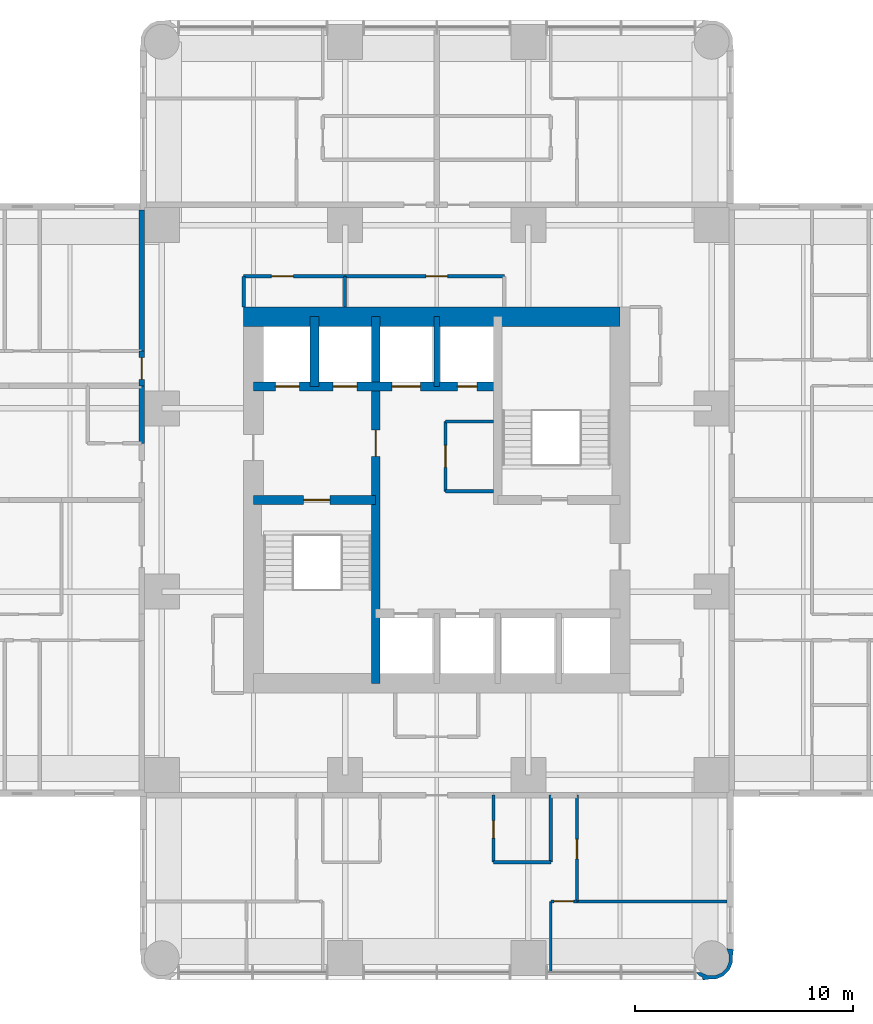
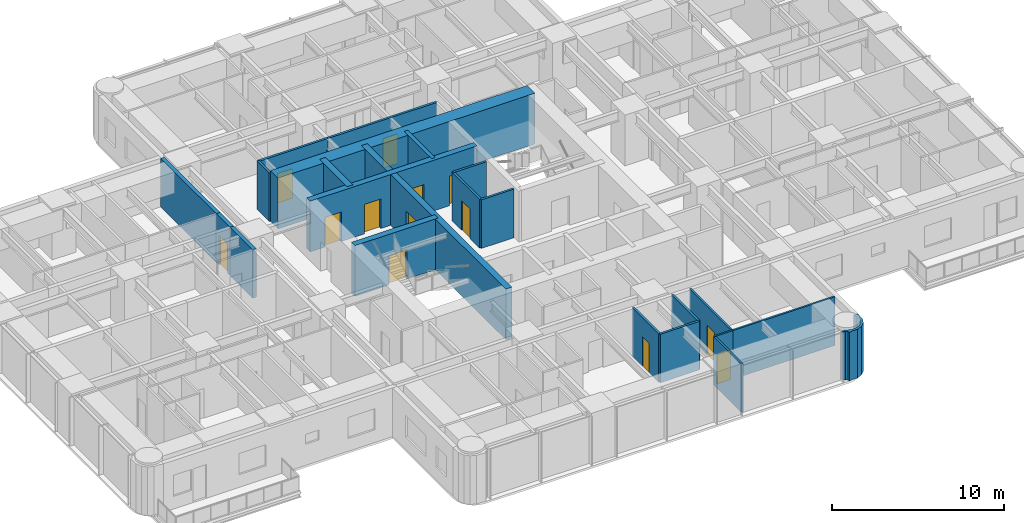
# One storey, part 8 of 15: 24 walls, 13 doors, 13 openings.
"""IFC4 building model written with IfcOpenShell, lengths in metres."""

from ifc_helpers import new_model, si_unit, direction, frame, frame_2d, origin, place, context, subcontext, project, spatial, polyline, rectangle, outline, extrude, material, layer, layer_set, type_object, element, fill, save


model = new_model("IFC4")

# Units and contexts
model_context = context("Model", 3, precision=1e-05, world=origin(), true_north=direction((0.0, 1.0)))
body_context = subcontext(model_context, "Body", "Model", "MODEL_VIEW")
ifc_project = project(units=[si_unit("LENGTHUNIT", "METRE"), si_unit("AREAUNIT", "SQUARE_METRE"), si_unit("VOLUMEUNIT", "CUBIC_METRE"), si_unit("PLANEANGLEUNIT", "RADIAN"), si_unit("MASSUNIT", "GRAM", prefix="KILO")], contexts=[model_context])

# Site, building, storey
site_placement = place(None, origin())
site = spatial("IfcSite", under=ifc_project, at=site_placement, CompositionType="ELEMENT")
building_placement = place(site_placement, origin())
building = spatial("IfcBuilding", under=site, at=building_placement, Name="Torre Alcanfor", CompositionType="ELEMENT")
storey_placement = place(building_placement, frame((0.0, 0.0, 116.10009765625)))
storey = spatial("IfcBuildingStorey", under=building, at=storey_placement, Name="L29", CompositionType="ELEMENT", Elevation=116.10009765625)

# Wall
ifc_material_1 = material(Name="Concrete block masonry, hollow blocks NMX-C-404 9 MPa", Category="masonry")
ifc_layer_1 = layer(ifc_material_1, 0.25)
ifc_layer_set_1 = layer_set([ifc_layer_1], Name="Apartment entrance wall 250 EI 60")
wall_type_1 = type_object("IfcWallType", Name="Apartment entrance wall 250 EI 60", PredefinedType="PARTITIONING", material=ifc_layer_set_1)
wall_1_placement = place(storey_placement, frame((15.875, 32.0, 0.0), z_axis=(0.0, 0.0, 1.0), x_axis=(0.0, 1.0, 0.0)))
element("IfcWall", 1, at=wall_1_placement, inside=storey, type_object=wall_type_1, Name="Partition L29-CORR / L29-W2A-BATH", PredefinedType="PARTITIONING", context=body_context, shape_type="SweptSolid", body=[
    extrude(rectangle(XDim=2.62890625, YDim=0.25, at=frame_2d((1.314453125, 0.0))), origin(), (0.0, 0.0, 1.0), 3.449951171875),
])

# Wall, opening, door
wall_2_placement = place(storey_placement, frame((15.875, 34.62890625, 0.0), z_axis=(0.0, 0.0, 1.0), x_axis=(0.0, 1.0, 0.0)))
wall_2 = element("IfcWall", 2, at=wall_2_placement, inside=storey, type_object=wall_type_1, Name="Partition L29-CORR / L29-W2B-HALL", PredefinedType="PARTITIONING", context=body_context, shape_type="SweptSolid", body=[
    extrude(rectangle(XDim=1.60009765625, YDim=0.25, at=frame_2d((0.800048828125, 0.0))), origin(), (0.0, 0.0, 1.0), 3.449951171875),
])
opening_1_placement = place(wall_2_placement, frame((0.300048828125, 0.0, 0.0)))
opening_1 = element("IfcOpeningElement", 3, at=opening_1_placement, cuts=wall_2, Name="Opening D-A1", PredefinedType="OPENING", context=body_context, shape_type="SweptSolid", body=[
    extrude(rectangle(XDim=1.0, YDim=2.10009765625, at=frame_2d((0.5, 1.050048828125))), frame((0.0, 0.135009765625, 0.0), z_axis=(0.0, -1.0, 0.0), x_axis=(1.0, 0.0, 0.0)), (0.0, 0.0, 1.0), 0.27001953125),
])
ifc_material_2 = material(Name="Galvanised steel sheet ASTM A653", Category="steel")
door_type_1 = type_object("IfcDoorType", Name="Apartment entrance door FD60 1000x2100", OperationType="SINGLE_SWING_LEFT", PredefinedType="DOOR", material=ifc_material_2)
door_1_placement = place(opening_1_placement, origin())
door_1 = element("IfcDoor", 4, at=door_1_placement, inside=storey, type_object=door_type_1, Name="Apartment entrance L29-W2B", OperationType="SINGLE_SWING_LEFT", OverallHeight=2.10009765625, OverallWidth=1.0, PredefinedType="DOOR", context=body_context, shape_type="SweptSolid", body=[
    extrude(rectangle(XDim=1.0, YDim=2.10009765625, at=frame_2d((0.5, 1.050048828125))), frame((0.0, 0.02490234375, 0.0), z_axis=(0.0, -1.0, 0.0), x_axis=(1.0, 0.0, 0.0)), (0.0, 0.0, 1.0), 0.050048828125),
])
fill(opening_1, door_1)

# Wall
wall_3_placement = place(storey_placement, frame((15.875, 36.22900390625, 0.0), z_axis=(0.0, 0.0, 1.0), x_axis=(0.0, 1.0, 0.0)))
element("IfcWall", 5, at=wall_3_placement, inside=storey, type_object=wall_type_1, Name="Partition L29-CORR / L29-W2B-BED2", PredefinedType="PARTITIONING", context=body_context, shape_type="SweptSolid", body=[
    extrude(rectangle(XDim=6.470947265625, YDim=0.25, at=frame_2d((3.2353515625, 0.0))), origin(), (0.0, 0.0, 1.0), 3.449951171875),
])

# Wall, opening, door
ifc_material_3 = material(Name="Gypsum board on steel studs", Category="steel")
ifc_layer_2 = layer(ifc_material_3, 0.1201171875)
ifc_layer_set_2 = layer_set([ifc_layer_2], Name="Apartment partition 120")
wall_type_2 = type_object("IfcWallType", Name="Apartment partition 120", PredefinedType="PARTITIONING", material=ifc_layer_set_2)
wall_4_placement = place(storey_placement, frame((35.8291015625, 15.875, 0.0), z_axis=(0.0, 0.0, 1.0), x_axis=(0.0, -1.0, 0.0)))
wall_4 = element("IfcWall", 6, at=wall_4_placement, inside=storey, type_object=wall_type_2, Name="Partition L29-SX-LIVING / L29-SX-BED2", PredefinedType="PARTITIONING", context=body_context, shape_type="SweptSolid", body=[
    extrude(rectangle(XDim=4.875, YDim=0.1201171875, at=frame_2d((2.4375, 0.0))), origin(), (0.0, 0.0, 1.0), 3.449951171875),
])
opening_2_placement = place(wall_4_placement, frame((2.02490234375, 0.0, 0.0)))
opening_2 = element("IfcOpeningElement", 7, at=opening_2_placement, cuts=wall_4, Name="Opening D-R1", PredefinedType="OPENING", context=body_context, shape_type="SweptSolid", body=[
    extrude(rectangle(XDim=0.89990234375, YDim=2.10009765625, at=frame_2d((0.449951171875, 1.050048828125))), frame((0.0, 0.070068359375, 0.0), z_axis=(0.0, -1.0, 0.0), x_axis=(1.0, 0.0, 0.0)), (0.0, 0.0, 1.0), 0.14013671875),
])
ifc_material_4 = material(Name="Timber", Category="wood")
door_type_2 = type_object("IfcDoorType", Name="Internal door 900x2100", OperationType="SINGLE_SWING_LEFT", PredefinedType="DOOR", material=ifc_material_4)
door_2_placement = place(opening_2_placement, origin())
door_2 = element("IfcDoor", 8, at=door_2_placement, inside=storey, type_object=door_type_2, Name="Door L29-SX bed2", OperationType="SINGLE_SWING_RIGHT", OverallHeight=2.10009765625, OverallWidth=0.89990234375, PredefinedType="DOOR", context=body_context, shape_type="SweptSolid", body=[
    extrude(rectangle(XDim=0.89990234375, YDim=2.10009765625, at=frame_2d((0.449951171875, 1.050048828125))), frame((0.0, 0.02490234375, 0.0), z_axis=(0.0, -1.0, 0.0), x_axis=(1.0, 0.0, 0.0)), (0.0, 0.0, 1.0), 0.050048828125),
])
fill(opening_2, door_2)

wall_5_placement = place(storey_placement, frame((35.8291015625, 11.0, 0.0), z_axis=(0.0, 0.0, 1.0), x_axis=(-1.0, 0.0, 0.0)))
wall_5 = element("IfcWall", 9, at=wall_5_placement, inside=storey, type_object=wall_type_2, Name="Partition L29-SX-LIVING / L29-SX-MASTER", PredefinedType="PARTITIONING", context=body_context, shape_type="SweptSolid", body=[
    extrude(rectangle(XDim=1.2001953125, YDim=0.1201171875, at=frame_2d((0.60009765625, 0.0))), origin(), (0.0, 0.0, 1.0), 3.449951171875),
])
opening_3_placement = place(wall_5_placement, frame((0.14892578125, 0.0, 0.0)))
opening_3 = element("IfcOpeningElement", 10, at=opening_3_placement, cuts=wall_5, Name="Opening D-R1", PredefinedType="OPENING", context=body_context, shape_type="SweptSolid", body=[
    extrude(rectangle(XDim=0.89990234375, YDim=2.10009765625, at=frame_2d((0.449951171875, 1.050048828125))), frame((0.0, 0.070068359375, 0.0), z_axis=(0.0, -1.0, 0.0), x_axis=(1.0, 0.0, 0.0)), (0.0, 0.0, 1.0), 0.14013671875),
])
door_3_placement = place(opening_3_placement, origin())
door_3 = element("IfcDoor", 11, at=door_3_placement, inside=storey, type_object=door_type_2, Name="Door L29-SX master", OperationType="SINGLE_SWING_RIGHT", OverallHeight=2.10009765625, OverallWidth=0.89990234375, PredefinedType="DOOR", context=body_context, shape_type="SweptSolid", body=[
    extrude(rectangle(XDim=0.89990234375, YDim=2.10009765625, at=frame_2d((0.449951171875, 1.050048828125))), frame((0.0, 0.02490234375, 0.0), z_axis=(0.0, -1.0, 0.0), x_axis=(1.0, 0.0, 0.0)), (0.0, 0.0, 1.0), 0.050048828125),
])
fill(opening_3, door_3)

# Walls
wall_6_placement = place(storey_placement, frame((34.62890625, 11.0, 0.0), z_axis=(0.0, 0.0, 1.0), x_axis=(0.0, -1.0, 0.0)))
element("IfcWall", 12, at=wall_6_placement, inside=storey, type_object=wall_type_2, Name="Partition L29-SX-LIVING / L29-SX-MASTER", PredefinedType="PARTITIONING", context=body_context, shape_type="SweptSolid", body=[
    extrude(rectangle(XDim=3.25, YDim=0.1201171875, at=frame_2d((1.625, 0.0))), origin(), (0.0, 0.0, 1.0), 3.449951171875),
])
wall_7_placement = place(storey_placement, frame((35.8291015625, 11.0, 0.0), z_axis=(0.0, 0.0, 1.0), x_axis=(1.0, 0.0, 0.0)))
element("IfcWall", 13, at=wall_7_placement, inside=storey, type_object=wall_type_2, Name="Partition L29-SX-BED2 / L29-SX-MASTER", PredefinedType="PARTITIONING", context=body_context, shape_type="SweptSolid", body=[
    extrude(rectangle(XDim=6.870849609375, YDim=0.1201171875, at=frame_2d((3.435546875, 0.0))), origin(), (0.0, 0.0, 1.0), 3.449951171875),
])

# Wall, opening, door
ifc_material_5 = material(Name="Concrete f'c 70 MPa", Category="concrete")
ifc_layer_3 = layer(ifc_material_5, 0.39990234375)
ifc_layer_set_3 = layer_set([ifc_layer_3], Name="Core inner wall 400 f'c70")
wall_type_3 = type_object("IfcWallType", Name="Core inner wall 400 f'c70", PredefinedType="SHEAR", material=ifc_layer_set_3)
wall_8_placement = place(storey_placement, frame((26.60009765625, 21.0, 0.0), z_axis=(0.0, 0.0, 1.0), x_axis=(0.0, 1.0, 0.0)))
wall_8 = element("IfcWall", 14, at=wall_8_placement, inside=storey, type_object=wall_type_3, Name="Core wall X266 L29", PredefinedType="SHEAR", context=body_context, shape_type="SweptSolid", body=[
    extrude(rectangle(XDim=16.800048828125, YDim=0.39990234375, at=frame_2d((8.39990234375, 0.0))), origin(), (0.0, 0.0, 1.0), 3.599853515625),
])
opening_4_placement = place(wall_8_placement, frame((10.39990234375, 0.0, 0.0)))
opening_4 = element("IfcOpeningElement", 15, at=opening_4_placement, cuts=wall_8, Name="Opening D-L1", PredefinedType="OPENING", context=body_context, shape_type="SweptSolid", body=[
    extrude(rectangle(XDim=1.199951171875, YDim=2.10009765625, at=frame_2d((0.60009765625, 1.050048828125))), frame((0.0, 0.2099609375, 0.0), z_axis=(0.0, -1.0, 0.0), x_axis=(1.0, 0.0, 0.0)), (0.0, 0.0, 1.0), 0.419921875),
])
ifc_material_6 = material(Name="Galvanised steel sheet ASTM A653", Category="steel")
door_type_3 = type_object("IfcDoorType", Name="Lobby door FD120 1200x2100", OperationType="SINGLE_SWING_LEFT", PredefinedType="DOOR", material=ifc_material_6)
door_4_placement = place(opening_4_placement, origin())
door_4 = element("IfcDoor", 16, at=door_4_placement, inside=storey, type_object=door_type_3, Name="Lift lobby door L29", OperationType="SINGLE_SWING_LEFT", OverallHeight=2.10009765625, OverallWidth=1.199951171875, PredefinedType="DOOR", context=body_context, shape_type="SweptSolid", body=[
    extrude(rectangle(XDim=1.199951171875, YDim=2.10009765625, at=frame_2d((0.60009765625, 1.050048828125))), frame((0.0, 0.02490234375, 0.0), z_axis=(0.0, -1.0, 0.0), x_axis=(1.0, 0.0, 0.0)), (0.0, 0.0, 1.0), 0.050048828125),
])
fill(opening_4, door_4)

wall_9_placement = place(storey_placement, frame((21.0, 29.39990234375, 0.0), z_axis=(0.0, 0.0, 1.0), x_axis=(1.0, 0.0, 0.0)))
wall_9 = element("IfcWall", 17, at=wall_9_placement, inside=storey, type_object=wall_type_3, Name="Core wall Y294W L29", PredefinedType="SHEAR", context=body_context, shape_type="SweptSolid", body=[
    extrude(rectangle(XDim=5.60009765625, YDim=0.39990234375, at=frame_2d((2.800048828125, 0.0))), origin(), (0.0, 0.0, 1.0), 3.599853515625),
])
opening_5_placement = place(wall_9_placement, frame((2.300048828125, 0.0, 0.0)))
opening_5 = element("IfcOpeningElement", 18, at=opening_5_placement, cuts=wall_9, Name="Opening D-S2", PredefinedType="OPENING", context=body_context, shape_type="SweptSolid", body=[
    extrude(rectangle(XDim=1.199951171875, YDim=2.10009765625, at=frame_2d((0.60009765625, 1.050048828125))), frame((0.0, 0.2099609375, 0.0), z_axis=(0.0, -1.0, 0.0), x_axis=(1.0, 0.0, 0.0)), (0.0, 0.0, 1.0), 0.419921875),
])
ifc_material_7 = material(Name="Galvanised steel sheet ASTM A653", Category="steel")
door_type_4 = type_object("IfcDoorType", Name="Stair enclosure door FD120 1200x2100", OperationType="SINGLE_SWING_LEFT", PredefinedType="DOOR", material=ifc_material_7)
door_5_placement = place(opening_5_placement, frame((1.199951171875, 0.0, 0.0), z_axis=(0.0, 0.0, 1.0), x_axis=(-1.0, 0.0, 0.0)))
door_5 = element("IfcDoor", 19, at=door_5_placement, inside=storey, type_object=door_type_4, Name="Stair S1 door L29", OperationType="SINGLE_SWING_LEFT", OverallHeight=2.10009765625, OverallWidth=1.199951171875, PredefinedType="DOOR", context=body_context, shape_type="SweptSolid", body=[
    extrude(rectangle(XDim=1.199951171875, YDim=2.10009765625, at=frame_2d((0.599853515625, 1.050048828125))), frame((0.0, 0.025146484375, 0.0), z_axis=(0.0, -1.0, 0.0), x_axis=(1.0, 0.0, 0.0)), (0.0, 0.0, 1.0), 0.050048828125),
])
fill(opening_5, door_5)

# Wall, openings, doors
wall_10_placement = place(storey_placement, frame((21.0, 34.60009765625, 0.0), z_axis=(0.0, 0.0, 1.0), x_axis=(1.0, 0.0, 0.0)))
wall_10 = element("IfcWall", 20, at=wall_10_placement, inside=storey, type_object=wall_type_3, Name="Core wall Y346 L29", PredefinedType="SHEAR", context=body_context, shape_type="SweptSolid", body=[
    extrude(rectangle(XDim=11.199951171875, YDim=0.39990234375, at=frame_2d((5.60009765625, 0.0))), origin(), (0.0, 0.0, 1.0), 3.599853515625),
])
opening_6_placement = place(wall_10_placement, frame((9.35009765625, 0.0, 0.0)))
opening_6 = element("IfcOpeningElement", 21, at=opening_6_placement, cuts=wall_10, Name="Opening D-Q1", PredefinedType="OPENING", context=body_context, shape_type="SweptSolid", body=[
    extrude(rectangle(XDim=0.89990234375, YDim=2.10009765625, at=frame_2d((0.449951171875, 1.050048828125))), frame((0.0, 0.2099609375, 0.0), z_axis=(0.0, -1.0, 0.0), x_axis=(1.0, 0.0, 0.0)), (0.0, 0.0, 1.0), 0.419921875),
])
opening_7_placement = place(wall_10_placement, frame((1.0, 0.0, 0.0)))
opening_7 = element("IfcOpeningElement", 22, at=opening_7_placement, cuts=wall_10, Name="Opening LD2", PredefinedType="OPENING", context=body_context, shape_type="SweptSolid", body=[
    extrude(rectangle(XDim=1.10009765625, YDim=2.10009765625, at=frame_2d((0.550048828125, 1.050048828125))), frame((0.0, 0.2099609375, 0.0), z_axis=(0.0, -1.0, 0.0), x_axis=(1.0, 0.0, 0.0)), (0.0, 0.0, 1.0), 0.419921875),
])
opening_8_placement = place(wall_10_placement, frame((3.64990234375, 0.0, 0.0)))
opening_8 = element("IfcOpeningElement", 23, at=opening_8_placement, cuts=wall_10, Name="Opening LD2", PredefinedType="OPENING", context=body_context, shape_type="SweptSolid", body=[
    extrude(rectangle(XDim=1.10009765625, YDim=2.10009765625, at=frame_2d((0.550048828125, 1.050048828125))), frame((0.0, 0.2099609375, 0.0), z_axis=(0.0, -1.0, 0.0), x_axis=(1.0, 0.0, 0.0)), (0.0, 0.0, 1.0), 0.419921875),
])
opening_9_placement = place(wall_10_placement, frame((6.35009765625, 0.0, 0.0)))
opening_9 = element("IfcOpeningElement", 24, at=opening_9_placement, cuts=wall_10, Name="Opening LD3", PredefinedType="OPENING", context=body_context, shape_type="SweptSolid", body=[
    extrude(rectangle(XDim=1.300048828125, YDim=2.10009765625, at=frame_2d((0.64990234375, 1.050048828125))), frame((0.0, 0.2099609375, 0.0), z_axis=(0.0, -1.0, 0.0), x_axis=(1.0, 0.0, 0.0)), (0.0, 0.0, 1.0), 0.419921875),
])
ifc_material_8 = material(Name="Galvanised steel sheet ASTM A653", Category="steel")
door_type_5 = type_object("IfcDoorType", Name="Firefighting lift landing door 1100x2100", OperationType="DOUBLE_DOOR_SLIDING", PredefinedType="DOOR", material=ifc_material_8)
door_6_placement = place(opening_7_placement, origin())
door_6 = element("IfcDoor", 25, at=door_6_placement, inside=storey, type_object=door_type_5, Name="Lift landing door FL1 L29", OperationType="DOUBLE_DOOR_SLIDING", OverallHeight=2.10009765625, OverallWidth=1.10009765625, PredefinedType="DOOR", context=body_context, shape_type="SweptSolid", body=[
    extrude(rectangle(XDim=1.10009765625, YDim=2.10009765625, at=frame_2d((0.550048828125, 1.050048828125))), frame((0.0, 0.02490234375, 0.0), z_axis=(0.0, -1.0, 0.0), x_axis=(1.0, 0.0, 0.0)), (0.0, 0.0, 1.0), 0.050048828125),
])
fill(opening_7, door_6)
door_7_placement = place(opening_8_placement, origin())
door_7 = element("IfcDoor", 26, at=door_7_placement, inside=storey, type_object=door_type_5, Name="Lift landing door FL2 L29", OperationType="DOUBLE_DOOR_SLIDING", OverallHeight=2.10009765625, OverallWidth=1.10009765625, PredefinedType="DOOR", context=body_context, shape_type="SweptSolid", body=[
    extrude(rectangle(XDim=1.10009765625, YDim=2.10009765625, at=frame_2d((0.550048828125, 1.050048828125))), frame((0.0, 0.02490234375, 0.0), z_axis=(0.0, -1.0, 0.0), x_axis=(1.0, 0.0, 0.0)), (0.0, 0.0, 1.0), 0.050048828125),
])
fill(opening_8, door_7)
ifc_material_9 = material(Name="Galvanised steel sheet ASTM A653", Category="steel")
door_type_6 = type_object("IfcDoorType", Name="Riser access door FD120 900x2100", OperationType="SINGLE_SWING_LEFT", PredefinedType="DOOR", material=ifc_material_9)
door_8_placement = place(opening_6_placement, origin())
door_8 = element("IfcDoor", 27, at=door_8_placement, inside=storey, type_object=door_type_6, Name="Riser door L29", OperationType="SINGLE_SWING_LEFT", OverallHeight=2.10009765625, OverallWidth=0.89990234375, PredefinedType="DOOR", context=body_context, shape_type="SweptSolid", body=[
    extrude(rectangle(XDim=0.89990234375, YDim=2.10009765625, at=frame_2d((0.449951171875, 1.050048828125))), frame((0.0, 0.02490234375, 0.0), z_axis=(0.0, -1.0, 0.0), x_axis=(1.0, 0.0, 0.0)), (0.0, 0.0, 1.0), 0.050048828125),
])
fill(opening_6, door_8)
ifc_material_10 = material(Name="Galvanised steel sheet ASTM A653", Category="steel")
door_type_7 = type_object("IfcDoorType", Name="Service lift landing door 1300x2100", OperationType="DOUBLE_DOOR_SLIDING", PredefinedType="DOOR", material=ifc_material_10)
door_9_placement = place(opening_9_placement, origin())
door_9 = element("IfcDoor", 28, at=door_9_placement, inside=storey, type_object=door_type_7, Name="Lift landing door SL1 L29", OperationType="DOUBLE_DOOR_SLIDING", OverallHeight=2.10009765625, OverallWidth=1.300048828125, PredefinedType="DOOR", context=body_context, shape_type="SweptSolid", body=[
    extrude(rectangle(XDim=1.300048828125, YDim=2.10009765625, at=frame_2d((0.64990234375, 1.050048828125))), frame((0.0, 0.02490234375, 0.0), z_axis=(0.0, -1.0, 0.0), x_axis=(1.0, 0.0, 0.0)), (0.0, 0.0, 1.0), 0.050048828125),
])
fill(opening_9, door_9)

# Walls
wall_11_placement = place(storey_placement, frame((23.800048828125, 34.60009765625, 0.0), z_axis=(0.0, 0.0, 1.0), x_axis=(0.0, 1.0, 0.0)))
element("IfcWall", 29, at=wall_11_placement, inside=storey, type_object=wall_type_3, Name="Core wall X238 L29", PredefinedType="SHEAR", context=body_context, shape_type="SweptSolid", body=[
    extrude(rectangle(XDim=3.199951171875, YDim=0.39990234375, at=frame_2d((1.60009765625, 0.0))), origin(), (0.0, 0.0, 1.0), 3.599853515625),
])
ifc_material_11 = material(Name="Concrete f'c 70 MPa", Category="concrete")
ifc_layer_4 = layer(ifc_material_11, 0.25)
ifc_layer_set_4 = layer_set([ifc_layer_4], Name="Core shaft wall 250 f'c70")
wall_type_4 = type_object("IfcWallType", Name="Core shaft wall 250 f'c70", PredefinedType="SHEAR", material=ifc_layer_set_4)
wall_12_placement = place(storey_placement, frame((29.39990234375, 34.60009765625, 0.0), z_axis=(0.0, 0.0, 1.0), x_axis=(0.0, 1.0, 0.0)))
element("IfcWall", 30, at=wall_12_placement, inside=storey, type_object=wall_type_4, Name="Core wall X294N L29", PredefinedType="SHEAR", context=body_context, shape_type="SweptSolid", body=[
    extrude(rectangle(XDim=3.199951171875, YDim=0.25, at=frame_2d((1.60009765625, 0.0))), origin(), (0.0, 0.0, 1.0), 3.599853515625),
])
ifc_material_12 = material(Name="Concrete f'c 70 MPa", Category="concrete")
ifc_layer_5 = layer(ifc_material_12, 0.89990234375)
ifc_layer_set_5 = layer_set([ifc_layer_5], Name="Core wall 900 f'c70")
wall_type_5 = type_object("IfcWallType", Name="Core wall 900 f'c70", PredefinedType="SHEAR", material=ifc_layer_set_5)
wall_13_placement = place(storey_placement, frame((37.800048828125, 37.800048828125, 0.0), z_axis=(0.0, 0.0, 1.0), x_axis=(-1.0, 0.0, 0.0)))
element("IfcWall", 31, at=wall_13_placement, inside=storey, type_object=wall_type_5, Name="Core wall OUT-N L29", PredefinedType="SHEAR", context=body_context, shape_type="SweptSolid", body=[
    extrude(rectangle(XDim=17.25, YDim=0.89990234375, at=frame_2d((8.625, 0.0))), origin(), (0.0, 0.0, 1.0), 3.599853515625),
])

# Wall, opening, door
ifc_material_13 = material(Name="Concrete block masonry, hollow blocks NMX-C-404 9 MPa", Category="masonry")
ifc_layer_6 = layer(ifc_material_13, 0.14990234375)
ifc_layer_set_6 = layer_set([ifc_layer_6], Name="Residents' room partition 150")
wall_type_6 = type_object("IfcWallType", Name="Residents' room partition 150", PredefinedType="PARTITIONING", material=ifc_layer_set_6)
wall_14_placement = place(storey_placement, frame((25.199951171875, 39.64990234375, 0.0), z_axis=(0.0, 0.0, 1.0), x_axis=(-1.0, 0.0, 0.0)))
wall_14 = element("IfcWall", 32, at=wall_14_placement, inside=storey, type_object=wall_type_6, Name="Partition L29-CORR / L29-G01", PredefinedType="PARTITIONING", context=body_context, shape_type="SweptSolid", body=[
    extrude(rectangle(XDim=4.64990234375, YDim=0.14990234375, at=frame_2d((2.324951171875, 0.0))), origin(), (0.0, 0.0, 1.0), 3.449951171875),
])
opening_10_placement = place(wall_14_placement, frame((2.375, 0.0, 0.0)))
opening_10 = element("IfcOpeningElement", 33, at=opening_10_placement, cuts=wall_14, Name="Opening D-M1", PredefinedType="OPENING", context=body_context, shape_type="SweptSolid", body=[
    extrude(rectangle(XDim=1.0, YDim=2.10009765625, at=frame_2d((0.5, 1.050048828125))), frame((0.0, 0.0849609375, 0.0), z_axis=(0.0, -1.0, 0.0), x_axis=(1.0, 0.0, 0.0)), (0.0, 0.0, 1.0), 0.169921875),
])
ifc_material_14 = material(Name="Timber", Category="wood")
door_type_8 = type_object("IfcDoorType", Name="Residents' room door 1000x2100", OperationType="SINGLE_SWING_LEFT", PredefinedType="DOOR", material=ifc_material_14)
door_10_placement = place(opening_10_placement, origin())
door_10 = element("IfcDoor", 34, at=door_10_placement, inside=storey, type_object=door_type_8, Name="Door L29-G01 residents' storage lockers", OperationType="SINGLE_SWING_RIGHT", OverallHeight=2.10009765625, OverallWidth=1.0, PredefinedType="DOOR", context=body_context, shape_type="SweptSolid", body=[
    extrude(rectangle(XDim=1.0, YDim=2.10009765625, at=frame_2d((0.5, 1.050048828125))), frame((0.0, 0.02490234375, 0.0), z_axis=(0.0, -1.0, 0.0), x_axis=(1.0, 0.0, 0.0)), (0.0, 0.0, 1.0), 0.050048828125),
])
fill(opening_10, door_10)

# Wall
wall_15_placement = place(storey_placement, frame((20.550048828125, 39.64990234375, 0.0), z_axis=(0.0, 0.0, 1.0), x_axis=(0.0, -1.0, 0.0)))
element("IfcWall", 35, at=wall_15_placement, inside=storey, type_object=wall_type_6, Name="Partition L29-CORR / L29-G01", PredefinedType="PARTITIONING", context=body_context, shape_type="SweptSolid", body=[
    extrude(rectangle(XDim=1.39990234375, YDim=0.14990234375, at=frame_2d((0.699951171875, 0.0))), origin(), (0.0, 0.0, 1.0), 3.449951171875),
])

# Wall, opening, door
wall_16_placement = place(storey_placement, frame((32.5, 39.64990234375, 0.0), z_axis=(0.0, 0.0, 1.0), x_axis=(-1.0, 0.0, 0.0)))
wall_16 = element("IfcWall", 36, at=wall_16_placement, inside=storey, type_object=wall_type_6, Name="Partition L29-CORR / L29-G02", PredefinedType="PARTITIONING", context=body_context, shape_type="SweptSolid", body=[
    extrude(rectangle(XDim=7.300048828125, YDim=0.14990234375, at=frame_2d((3.64990234375, 0.0))), origin(), (0.0, 0.0, 1.0), 3.449951171875),
])
opening_11_placement = place(wall_16_placement, frame((2.60009765625, 0.0, 0.0)))
opening_11 = element("IfcOpeningElement", 37, at=opening_11_placement, cuts=wall_16, Name="Opening D-M1", PredefinedType="OPENING", context=body_context, shape_type="SweptSolid", body=[
    extrude(rectangle(XDim=1.0, YDim=2.10009765625, at=frame_2d((0.5, 1.050048828125))), frame((0.0, 0.0849609375, 0.0), z_axis=(0.0, -1.0, 0.0), x_axis=(1.0, 0.0, 0.0)), (0.0, 0.0, 1.0), 0.169921875),
])
door_11_placement = place(opening_11_placement, origin())
door_11 = element("IfcDoor", 38, at=door_11_placement, inside=storey, type_object=door_type_8, Name="Door L29-G02 residents' study room", OperationType="SINGLE_SWING_LEFT", OverallHeight=2.10009765625, OverallWidth=1.0, PredefinedType="DOOR", context=body_context, shape_type="SweptSolid", body=[
    extrude(rectangle(XDim=1.0, YDim=2.10009765625, at=frame_2d((0.5, 1.050048828125))), frame((0.0, 0.02490234375, 0.0), z_axis=(0.0, -1.0, 0.0), x_axis=(1.0, 0.0, 0.0)), (0.0, 0.0, 1.0), 0.050048828125),
])
fill(opening_11, door_11)

# Walls
wall_17_placement = place(storey_placement, frame((25.199951171875, 38.25, 0.0), z_axis=(0.0, 0.0, 1.0), x_axis=(0.0, 1.0, 0.0)))
element("IfcWall", 39, at=wall_17_placement, inside=storey, type_object=wall_type_6, Name="Partition L29-G01 / L29-G02", PredefinedType="PARTITIONING", context=body_context, shape_type="SweptSolid", body=[
    extrude(rectangle(XDim=1.39990234375, YDim=0.14990234375, at=frame_2d((0.699951171875, 0.0))), origin(), (0.0, 0.0, 1.0), 2.7666015625),
])
wall_18_placement = place(storey_placement, frame((32.0, 29.800048828125, 0.0), z_axis=(0.0, 0.0, 1.0), x_axis=(-1.0, 0.0, 0.0)))
element("IfcWall", 40, at=wall_18_placement, inside=storey, type_object=wall_type_6, Name="Partition L29-LL / L29-CR1", PredefinedType="PARTITIONING", context=body_context, shape_type="SweptSolid", body=[
    extrude(rectangle(XDim=2.199951171875, YDim=0.14990234375, at=frame_2d((1.10009765625, 0.0))), origin(), (0.0, 0.0, 1.0), 3.449951171875),
])

# Wall, opening, door
wall_19_placement = place(storey_placement, frame((29.800048828125, 29.800048828125, 0.0), z_axis=(0.0, 0.0, 1.0), x_axis=(0.0, 1.0, 0.0)))
wall_19 = element("IfcWall", 41, at=wall_19_placement, inside=storey, type_object=wall_type_6, Name="Partition L29-LL / L29-CR1", PredefinedType="PARTITIONING", context=body_context, shape_type="SweptSolid", body=[
    extrude(rectangle(XDim=3.199951171875, YDim=0.14990234375, at=frame_2d((1.60009765625, 0.0))), origin(), (0.0, 0.0, 1.0), 3.449951171875),
])
opening_12_placement = place(wall_19_placement, frame((1.10009765625, 0.0, 0.0)))
opening_12 = element("IfcOpeningElement", 42, at=opening_12_placement, cuts=wall_19, Name="Opening D-M1", PredefinedType="OPENING", context=body_context, shape_type="SweptSolid", body=[
    extrude(rectangle(XDim=1.0, YDim=2.10009765625, at=frame_2d((0.5, 1.050048828125))), frame((0.0, 0.0849609375, 0.0), z_axis=(0.0, -1.0, 0.0), x_axis=(1.0, 0.0, 0.0)), (0.0, 0.0, 1.0), 0.169921875),
])
door_12_placement = place(opening_12_placement, frame((1.0, 0.0, 0.0), z_axis=(0.0, 0.0, 1.0), x_axis=(-1.0, 0.0, 0.0)))
door_12 = element("IfcDoor", 43, at=door_12_placement, inside=storey, type_object=door_type_8, Name="Residents' parcel room door L29", OperationType="SINGLE_SWING_RIGHT", OverallHeight=2.10009765625, OverallWidth=1.0, PredefinedType="DOOR", context=body_context, shape_type="SweptSolid", body=[
    extrude(rectangle(XDim=1.0, YDim=2.10009765625, at=frame_2d((0.5, 1.050048828125))), frame((0.0, 0.025146484375, 0.0), z_axis=(0.0, -1.0, 0.0), x_axis=(1.0, 0.0, 0.0)), (0.0, 0.0, 1.0), 0.050048828125),
])
fill(opening_12, door_12)

# Walls
wall_20_placement = place(storey_placement, frame((29.800048828125, 33.0, 0.0), z_axis=(0.0, 0.0, 1.0), x_axis=(1.0, 0.0, 0.0)))
element("IfcWall", 44, at=wall_20_placement, inside=storey, type_object=wall_type_6, Name="Partition L29-LL / L29-CR1", PredefinedType="PARTITIONING", context=body_context, shape_type="SweptSolid", body=[
    extrude(rectangle(XDim=2.199951171875, YDim=0.14990234375, at=frame_2d((1.10009765625, 0.0))), origin(), (0.0, 0.0, 1.0), 3.449951171875),
])
ifc_material_15 = material(Name="Limestone cladding", Category="masonry")
ifc_layer_7 = layer(ifc_material_15, 0.0400390625, Name="Facing")
ifc_material_16 = material(Name="Ventilated air cavity")
ifc_layer_8 = layer(ifc_material_16, 0.02001953125, ventilated=True, Name="Ventilated joint")
ifc_material_17 = material(Name="Mineral wool insulation", Category="insulation")
ifc_layer_9 = layer(ifc_material_17, 0.10009765625, Name="Insulation")
ifc_material_18 = material(Name="Concrete f'c 35 MPa", Category="concrete")
ifc_layer_10 = layer(ifc_material_18, 0.139892578125, Name="Backing")
ifc_layer_set_7 = layer_set([ifc_layer_7, ifc_layer_8, ifc_layer_9, ifc_layer_10], Name="Rounded corner pier stone-clad 300")
wall_type_7 = type_object("IfcWallType", Name="Rounded corner pier stone-clad 300", PredefinedType="SOLIDWALL", material=ifc_layer_set_7)
wall_21_placement = place(storey_placement, frame((41.351928198, 7.804682488, 0.0), z_axis=(0.0, 0.0, 1.0), x_axis=(0.343276641956, -0.93923434088, 0.0)))
element("IfcWall", 45, at=wall_21_placement, inside=storey, type_object=wall_type_7, Name="Corner pier L29 16", PredefinedType="SOLIDWALL", context=body_context, shape_type="SweptSolid", body=[
    extrude(outline(polyline([(-0.3691376945080963, 1.8896116474277462), (-0.5092849006082865, 1.6213723434863179), (-0.4904818693699753, 1.614500106025285), (-0.47937395557818696, 1.6086207727425919), (-0.21134604487110653, 1.620093396259431), (0.08789731812884549, 1.5107242513003132), (0.3226193813038204, 1.29522875171589), (0.4568297522668325, 1.0059961170728082), (0.47018090116819644, 0.6876338955306306), (0.3608955639829935, 0.3886198377896824), (0.14540006439857034, 0.15389777461470747), (0.10805580570731482, 0.136354268630141), (0.030952653705484567, -0.07460656965335008), (0.24105149879401783, 0.023022242841209073), (0.33345144333490195, 0.12363819812835387), (0.46537419024986754, 0.09413770889727405), (0.5320249985235461, 0.39313792602006), (0.6305829406476248, 0.6628009106085226), (0.6143313238115743, 1.0443478664441104), (0.4534111053034037, 1.390650880852334), (0.17226586261802523, 1.6491069643028293), (-0.09739712197043726, 1.7476649064269079), (-0.3691376945080963, 1.8896116474277462)])), origin(), (0.0, 0.0, 1.0), 3.449951171875),
])

# Wall, opening, door
ifc_material_19 = material(Name="Cement board on steel studs", Category="steel")
ifc_layer_11 = layer(ifc_material_19, 0.14990234375)
ifc_layer_set_8 = layer_set([ifc_layer_11], Name="Wet area partition 150")
wall_type_8 = type_object("IfcWallType", Name="Wet area partition 150", PredefinedType="PARTITIONING", material=ifc_layer_set_8)
wall_22_placement = place(storey_placement, frame((32.0, 12.800048828125, 0.0), z_axis=(0.0, 0.0, 1.0), x_axis=(0.0, 1.0, 0.0)))
wall_22 = element("IfcWall", 46, at=wall_22_placement, inside=storey, type_object=wall_type_8, Name="Partition L29-SX-ZAG / L29-SX-BATH2", PredefinedType="PARTITIONING", context=body_context, shape_type="SweptSolid", body=[
    extrude(rectangle(XDim=3.074951171875, YDim=0.14990234375, at=frame_2d((1.53759765625, 0.0))), origin(), (0.0, 0.0, 1.0), 3.449951171875),
])
opening_13_placement = place(wall_22_placement, frame((1.10009765625, 0.0, 0.0)))
opening_13 = element("IfcOpeningElement", 47, at=opening_13_placement, cuts=wall_22, Name="Opening D-R2", PredefinedType="OPENING", context=body_context, shape_type="SweptSolid", body=[
    extrude(rectangle(XDim=0.800048828125, YDim=2.10009765625, at=frame_2d((0.39990234375, 1.050048828125))), frame((0.0, 0.0849609375, 0.0), z_axis=(0.0, -1.0, 0.0), x_axis=(1.0, 0.0, 0.0)), (0.0, 0.0, 1.0), 0.169921875),
])
ifc_material_20 = material(Name="Timber", Category="wood")
door_type_9 = type_object("IfcDoorType", Name="Bathroom door 800x2100", OperationType="SINGLE_SWING_LEFT", PredefinedType="DOOR", material=ifc_material_20)
door_13_placement = place(opening_13_placement, frame((0.800048828125, 0.0, 0.0), z_axis=(0.0, 0.0, 1.0), x_axis=(-1.0, 0.0, 0.0)))
door_13 = element("IfcDoor", 48, at=door_13_placement, inside=storey, type_object=door_type_9, Name="Door L29-SX bath2", OperationType="SINGLE_SWING_RIGHT", OverallHeight=2.10009765625, OverallWidth=0.800048828125, PredefinedType="DOOR", context=body_context, shape_type="SweptSolid", body=[
    extrude(rectangle(XDim=0.800048828125, YDim=2.10009765625, at=frame_2d((0.400146484375, 1.050048828125))), frame((0.0, 0.025146484375, 0.0), z_axis=(0.0, -1.0, 0.0), x_axis=(1.0, 0.0, 0.0)), (0.0, 0.0, 1.0), 0.050048828125),
])
fill(opening_13, door_13)

# Walls
wall_23_placement = place(storey_placement, frame((32.0, 12.800048828125, 0.0), z_axis=(0.0, 0.0, 1.0), x_axis=(1.0, 0.0, 0.0)))
element("IfcWall", 49, at=wall_23_placement, inside=storey, type_object=wall_type_8, Name="Partition L29-SX-BATH2 / L29-SX-LIVING", PredefinedType="PARTITIONING", context=body_context, shape_type="SweptSolid", body=[
    extrude(rectangle(XDim=2.62890625, YDim=0.14990234375, at=frame_2d((1.314453125, 0.0))), origin(), (0.0, 0.0, 1.0), 3.449951171875),
])
wall_24_placement = place(storey_placement, frame((34.62890625, 12.800048828125, 0.0), z_axis=(0.0, 0.0, 1.0), x_axis=(0.0, 1.0, 0.0)))
element("IfcWall", 50, at=wall_24_placement, inside=storey, type_object=wall_type_8, Name="Partition L29-SX-BATH2 / L29-SX-LIVING", PredefinedType="PARTITIONING", context=body_context, shape_type="SweptSolid", body=[
    extrude(rectangle(XDim=3.074951171875, YDim=0.14990234375, at=frame_2d((1.53759765625, 0.0))), origin(), (0.0, 0.0, 1.0), 3.449951171875),
])

save(model, "model.ifc")
